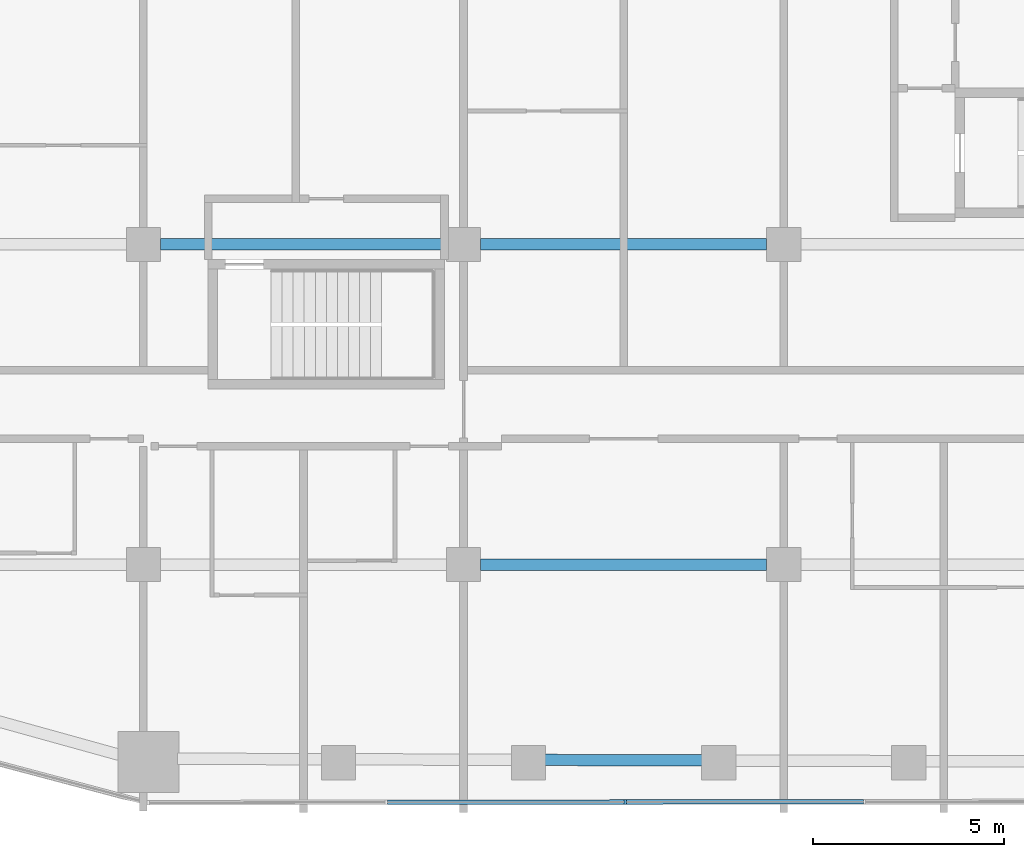
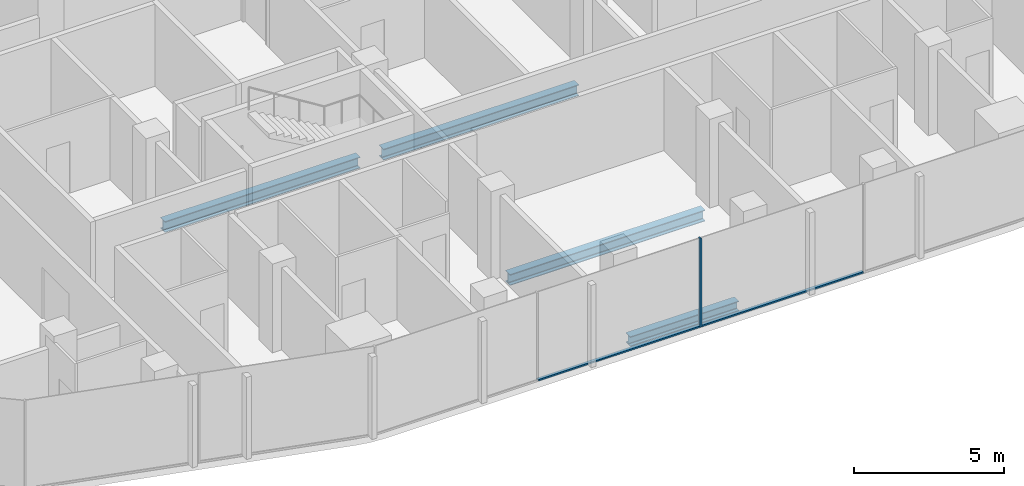
# One storey, part 3 of 23: 4 beams, 3 members, 1 element without a shape of its own.
"""IFC4 building model written with IfcOpenShell, lengths in metres."""

from ifc_helpers import new_model, si_unit, direction, frame, origin, origin_2d, place, context, subcontext, project, spatial, rectangle, i_section, extrude, material, layer, layer_set, material_profile, profile_set, type_object, element, aggregate, save


model = new_model("IFC4")

# Units and contexts
model_context = context("Model", 3, precision=1e-05, world=origin(), true_north=direction((0.0, 1.0)))
body_context = subcontext(model_context, "Body", "Model", "MODEL_VIEW")
ifc_project = project(units=[si_unit("LENGTHUNIT", "METRE"), si_unit("AREAUNIT", "SQUARE_METRE"), si_unit("VOLUMEUNIT", "CUBIC_METRE"), si_unit("PLANEANGLEUNIT", "RADIAN"), si_unit("MASSUNIT", "GRAM", prefix="KILO")], contexts=[model_context])

# Site, building, storey
site_placement = place(None, origin())
site = spatial("IfcSite", under=ifc_project, at=site_placement, CompositionType="ELEMENT")
building_placement = place(site_placement, origin())
building = spatial("IfcBuilding", under=site, at=building_placement, Name="Marenta Gate Hotel Tower", CompositionType="ELEMENT")
storey_placement = place(building_placement, frame((0.0, 0.0, 119.300048828125)))
storey = spatial("IfcBuildingStorey", under=building, at=storey_placement, Name="L26", CompositionType="ELEMENT", Elevation=119.300048828125)

# Beams
ifc_material_1 = material(Name="Steel S355", Category="steel")
ifc_material_profile_1 = material_profile(ifc_material_1, i_section(OverallWidth=0.300048828125, OverallDepth=0.39990234375, WebThickness=0.013427734375, FlangeThickness=0.02392578125, FilletRadius=0.027099609375, at=origin_2d()), Name="HEB 400")
ifc_profile_set_1 = profile_set([ifc_material_profile_1], Name="Steel S355")
beam_type_1 = type_object("IfcBeamType", Name="Edge beam HEB 400", PredefinedType="SPANDREL", material=ifc_profile_set_1)
beam_placement = place(storey_placement, frame((2.08349609375, -21.939453125, -0.4599609375), z_axis=(-0.999994808095, 0.003222387769, 0.0), x_axis=(-0.003222387769, -0.999994808095, 0.0)))
element("IfcBeam", 1, at=beam_placement, inside=storey, type_object=beam_type_1, Name="L26-EB-34", PredefinedType="SPANDREL", context=body_context, shape_type="SweptSolid", body=[
    extrude(i_section(OverallWidth=0.300048828125, OverallDepth=0.39990234375, WebThickness=0.013427734375, FlangeThickness=0.02392578125, FilletRadius=0.027099609375, at=origin_2d()), origin(), (0.0, 0.0, 1.0), 4.1669921875),
])
ifc_material_2 = material(Name="Steel S355", Category="steel")
ifc_material_profile_2 = material_profile(ifc_material_2, i_section(OverallWidth=0.300048828125, OverallDepth=0.449951171875, WebThickness=0.013916015625, FlangeThickness=0.02587890625, FilletRadius=0.027099609375, at=origin_2d()), Name="HEB 450")
ifc_profile_set_2 = profile_set([ifc_material_profile_2], Name="Steel S355")
beam_type_2 = type_object("IfcBeamType", Name="Girder HEB 450", PredefinedType="BEAM", material=ifc_profile_set_2)
for number, where, z_axis, x_axis, name in (
    (2, (-3.75, -16.800048828125, -0.485107421875), (1.0, 0.0, 0.0), (0.0, 1.0, 0.0), "L26-GD-4"),
    (3, (-12.14990234375, -8.39990234375, -0.485107421875), (1.0, 0.0, 0.0), (0.0, 1.0, 0.0), "L26-GD-10"),
    (4, (-3.75, -8.39990234375, -0.485107421875), (1.0, 0.0, 0.0), (0.0, 1.0, 0.0), "L26-GD-11"),
):
    element("IfcBeam", number, at=place(storey_placement, frame(where, z_axis=z_axis, x_axis=x_axis)), inside=storey, type_object=beam_type_2, Name=name, PredefinedType="BEAM", context=body_context, shape_type="SweptSolid", body=[
        extrude(i_section(OverallWidth=0.300048828125, OverallDepth=0.449951171875, WebThickness=0.013916015625, FlangeThickness=0.02587890625, FilletRadius=0.027099609375, at=origin_2d()), origin(), (0.0, 0.0, 1.0), 7.5),
    ])

# Curtain wall, members
ifc_material_3 = material(Name="Tinted insulated glass in bronze anodised frame", Category="glass")
ifc_layer = layer(ifc_material_3, 0.1201171875)
ifc_layer_set = layer_set([ifc_layer], Name="Tinted insulated glass in bronze anodised frame")
curtain_wall_type = type_object("IfcCurtainWallType", Name="Tower unitised curtain wall CW1", PredefinedType="NOTDEFINED", material=ifc_layer_set)
curtain_wall_placement = place(storey_placement, origin())
curtain_wall = element("IfcCurtainWall", 5, at=curtain_wall_placement, inside=storey, type_object=curtain_wall_type, Name="CW1 run G07", PredefinedType="NOTDEFINED")
ifc_material_4 = material(Name="Bronze anodised aluminium", Category="aluminium")
ifc_material_profile_3 = material_profile(ifc_material_4, rectangle(XDim=0.1201171875, YDim=0.06005859375, at=origin_2d()), Name="Mullion CW1 60x120 bronze anodised aluminium")
ifc_profile_set_3 = profile_set([ifc_material_profile_3], Name="Bronze anodised aluminium")
member_type_1 = type_object("IfcMemberType", Name="Mullion CW1 60x120 bronze anodised aluminium", PredefinedType="MULLION", material=ifc_profile_set_3)
member_1_placement = place(storey_placement, frame((0.0458984375, -23.030517578125, 0.0), z_axis=(0.0, 0.0, 1.0), x_axis=(-0.001362347707, 0.999999072004, 0.0)))
member_1 = element("IfcMember", 6, at=member_1_placement, type_object=member_type_1, Name="CW1 mullion 3", PredefinedType="MULLION", context=body_context, shape_type="SweptSolid", body=[
    extrude(rectangle(XDim=0.1201171875, YDim=0.06005859375, at=origin_2d()), origin(), (0.0, 0.0, 1.0), 3.599853515625),
])
ifc_material_5 = material(Name="Bronze anodised aluminium", Category="aluminium")
ifc_material_profile_4 = material_profile(ifc_material_5, rectangle(XDim=0.1201171875, YDim=0.06005859375, at=origin_2d()), Name="Transom CW1 60x120 bronze anodised aluminium")
ifc_profile_set_4 = profile_set([ifc_material_profile_4], Name="Bronze anodised aluminium")
member_type_2 = type_object("IfcMemberType", Name="Transom CW1 60x120 bronze anodised aluminium", PredefinedType="USERDEFINED", material=ifc_profile_set_4)
member_2_placement = place(storey_placement, frame((-6.199951171875, -23.038818359375, 0.030029296875), z_axis=(0.999999108317, 0.001335426932, 0.0), x_axis=(-0.001335426932, 0.999999108317, 0.0)))
member_2 = element("IfcMember", 7, at=member_2_placement, type_object=member_type_2, Name="CW1 transom 2.1", ObjectType="TRANSOM", PredefinedType="USERDEFINED", context=body_context, shape_type="SweptSolid", body=[
    extrude(rectangle(XDim=0.1201171875, YDim=0.06005859375, at=origin_2d()), origin(), (0.0, 0.0, 1.0), 6.2158203125),
])
member_3_placement = place(storey_placement, frame((0.075927734375, -23.0302734375, 0.030029296875), z_axis=(0.999999108387, 0.001335374482, 0.0), x_axis=(-0.001335374482, 0.999999108387, 0.0)))
member_3 = element("IfcMember", 8, at=member_3_placement, type_object=member_type_2, Name="CW1 transom 3.1", ObjectType="TRANSOM", PredefinedType="USERDEFINED", context=body_context, shape_type="SweptSolid", body=[
    extrude(rectangle(XDim=0.1201171875, YDim=0.06005859375, at=origin_2d()), origin(), (0.0, 0.0, 1.0), 6.216064453125),
])
aggregate(curtain_wall, [member_1, member_2, member_3])

save(model, "model.ifc")
